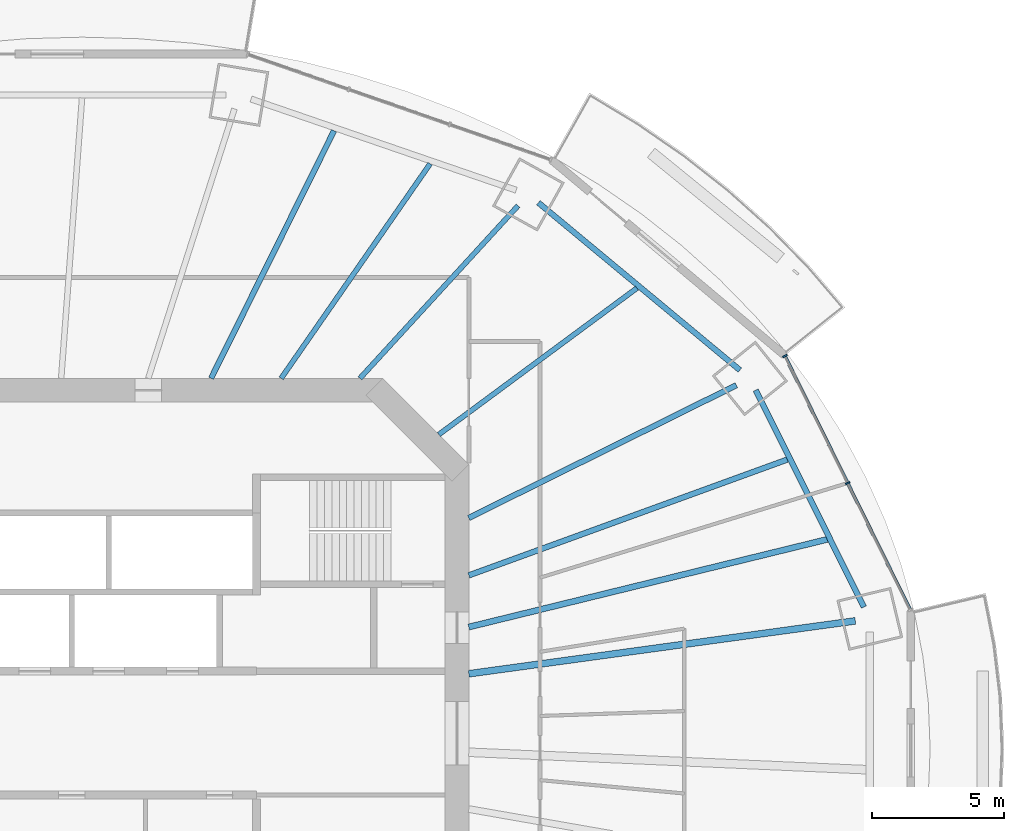
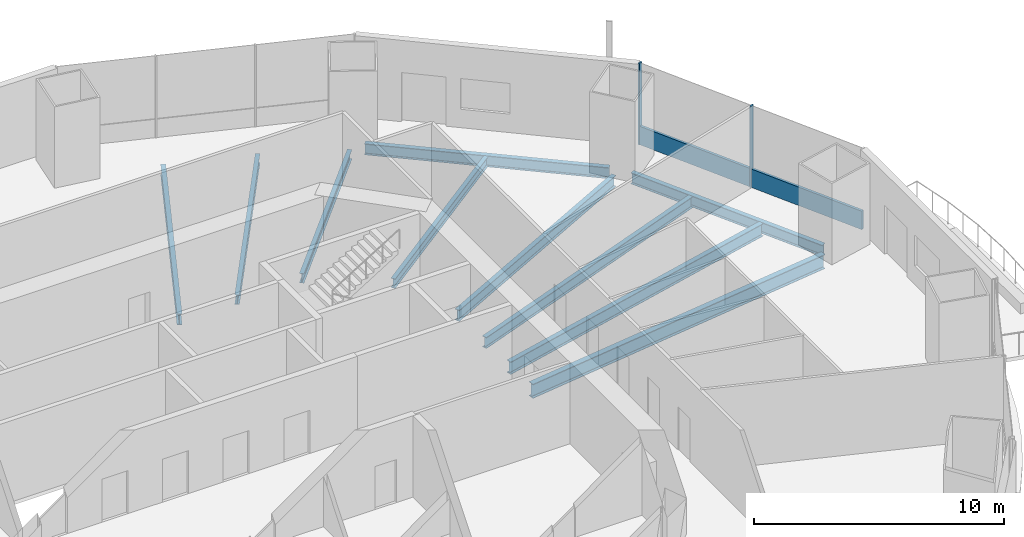
# One storey, part 7 of 20: 10 beams, 3 members, 1 element without a shape of its own.
"""IFC4 building model written with IfcOpenShell, lengths in metres."""

import ifcopenshell
import ifcopenshell.guid

model = None  # the IFC model being written
_history = None  # IfcOwnerHistory: only IFC2X3 demands one
_inside = {}  # id of a spatial element -> (the spatial element, [elements in it])
_under = {}  # id of a project, library or spatial element -> (it, [spatial elements below it])
_declared = {}  # id of a project -> (the project, [libraries it declares])
_typed = {}  # id of a type object -> (the type object, [elements of that type])
_made_of = {}  # id of a material, layer set ... -> (it, [elements and type objects made of it])


def new_model(schema):
    """Start an empty IFC model of exactly this schema.

    Asked for "IFC4X3", IfcOpenShell would pick the latest addendum, in which some entities
    have other attributes; the version numbers below select the first issue.
    IFC2X3 requires an IfcOwnerHistory on every rooted entity: one is made here for all.
    """
    global model, _history
    if schema == "IFC4X3":
        model = ifcopenshell.file(schema_version=(4, 3, 0, 0))
    else:
        model = ifcopenshell.file(schema=schema)
    _inside.clear()
    _under.clear()
    _declared.clear()
    _typed.clear()
    _made_of.clear()
    _history = None
    if model.schema == "IFC2X3":
        org = make("IfcOrganization", Name="unknown")
        user = make(
            "IfcPersonAndOrganization",
            ThePerson=make("IfcPerson", FamilyName="unknown"),
            TheOrganization=org,
        )
        app = make(
            "IfcApplication",
            ApplicationDeveloper=org,
            Version="unknown",
            ApplicationFullName="unknown",
            ApplicationIdentifier="unknown",
        )
        _history = make(
            "IfcOwnerHistory",
            OwningUser=user,
            OwningApplication=app,
            ChangeAction="ADDED",
            CreationDate=0,
        )
    return model


def make(cls, **values):
    """One entity of the class cls with the attributes given. An attribute that is None is left unset."""
    return model.create_entity(
        cls, **{name: value for name, value in values.items() if value is not None}
    )


def rooted(cls, **values):
    """An entity with a GlobalId (a new one), such as an element, a storey or a relation."""
    return make(cls, GlobalId=ifcopenshell.guid.new(), OwnerHistory=_history, **values)


def si_unit(unit_type, name, prefix=None):
    """IfcSIUnit, for example si_unit("LENGTHUNIT", "METRE", prefix="MILLI")."""
    return make("IfcSIUnit", UnitType=unit_type, Prefix=prefix, Name=name)


def assignment(units):
    """IfcUnitAssignment: the units of a project."""
    return None if units is None else make("IfcUnitAssignment", Units=units)


def point(xyz):
    """IfcCartesianPoint."""
    return None if xyz is None else make("IfcCartesianPoint", Coordinates=xyz)


def direction(xyz):
    """IfcDirection."""
    return None if xyz is None else make("IfcDirection", DirectionRatios=xyz)


def frame(location, z_axis=None, x_axis=None):
    """IfcAxis2Placement3D, a coordinate frame: its origin and axes. An axis left out is left unset."""
    return make(
        "IfcAxis2Placement3D",
        Location=point(location),
        Axis=direction(z_axis),
        RefDirection=direction(x_axis),
    )


def frame_2d(location, x_axis=None):
    """IfcAxis2Placement2D, a coordinate frame in the plane: its origin and x axis."""
    return make(
        "IfcAxis2Placement2D", Location=point(location), RefDirection=direction(x_axis)
    )


def origin():
    """The frame at (0, 0, 0) with its axes left unset."""
    return frame((0.0, 0.0, 0.0))


def origin_2d():
    """The frame at (0, 0) in the plane with its x axis left unset."""
    return frame_2d((0.0, 0.0))


def place(relative_to, where):
    """IfcLocalPlacement: puts the frame where relative to a parent placement (None: the world)."""
    return make(
        "IfcLocalPlacement", PlacementRelTo=relative_to, RelativePlacement=where
    )


def context(
    kind, dimensions, precision=None, world=None, true_north=None, identifier=None
):
    """IfcGeometricRepresentationContext, for example the 3D "Model" context."""
    return make(
        "IfcGeometricRepresentationContext",
        ContextIdentifier=identifier,
        ContextType=kind,
        CoordinateSpaceDimension=dimensions,
        Precision=precision,
        WorldCoordinateSystem=world,
        TrueNorth=true_north,
    )


def subcontext(parent, identifier, kind, view, scale=None):
    """IfcGeometricRepresentationSubContext, for example "Body" below "Model"."""
    return make(
        "IfcGeometricRepresentationSubContext",
        ContextIdentifier=identifier,
        ContextType=kind,
        ParentContext=parent,
        TargetScale=scale,
        TargetView=view,
    )


def project(units=None, contexts=None):
    """IfcProject with its units and contexts."""
    return rooted(
        "IfcProject",
        Name="project",
        RepresentationContexts=contexts,
        UnitsInContext=assignment(units),
    )


def spatial(cls, under=None, at=None, **own):
    """A site, building, storey or space (cls), placed at a placement, below another one or the project."""
    s = rooted(cls, ObjectPlacement=at, **own)
    if under is not None:
        _under.setdefault(under.id(), (under, []))[1].append(s)
    return s


def profile(cls, at=None, kind="AREA", **sizes):
    """A parametric profile (cls). Its sizes go by their IFC names, for example OverallWidth=200.0."""
    return make(cls, ProfileType=kind, Position=at, **sizes)


def rectangle(**sizes):
    """IfcRectangleProfileDef."""
    return profile("IfcRectangleProfileDef", **sizes)


def i_section(**sizes):
    """IfcIShapeProfileDef."""
    return profile("IfcIShapeProfileDef", **sizes)


def extrude(swept, where, along, depth):
    """IfcExtrudedAreaSolid: the profile swept, set in the frame where, extruded along a direction by depth."""
    return make(
        "IfcExtrudedAreaSolid",
        SweptArea=swept,
        Position=where,
        ExtrudedDirection=direction(along),
        Depth=depth,
    )


def shape(context_of_items, identifier, shape_type, items):
    """IfcShapeRepresentation: the items that make up one representation, for example the "Body"."""
    return make(
        "IfcShapeRepresentation",
        ContextOfItems=context_of_items,
        RepresentationIdentifier=identifier,
        RepresentationType=shape_type,
        Items=items,
    )


def material(Name=None, Category=None):
    """IfcMaterial."""
    return make("IfcMaterial", Name=Name, Category=Category)


def material_profile(
    of_material, cross_section, Name=None, Category=None, Priority=None
):
    """IfcMaterialProfile: a cross section and its material."""
    return make(
        "IfcMaterialProfile",
        Name=Name,
        Material=of_material,
        Profile=cross_section,
        Priority=Priority,
        Category=Category,
    )


def profile_set(profiles, Name=None, composite=None):
    """IfcMaterialProfileSet."""
    return make(
        "IfcMaterialProfileSet",
        Name=Name,
        MaterialProfiles=profiles,
        CompositeProfile=composite,
    )


def made_of(thing, what):
    """Note that an element or type object is made of a material, layer set ...; save() writes the relation."""
    if what is not None:
        _made_of.setdefault(what.id(), (what, []))[1].append(thing)
    return thing


def type_object(cls, material=None, **own):
    """A type object (cls), such as IfcWallType, which elements share."""
    return made_of(rooted(cls, **own), material)


def element(
    cls,
    number,
    at=None,
    inside=None,
    cuts=None,
    type_object=None,
    material=None,
    context=None,
    identifier="Body",
    shape_type=None,
    held_by="IfcProductDefinitionShape",
    body=None,
    shapes=None,
    **own,
):
    """One element of the class cls, such as IfcWall. Its Tag is "e" and its number.

    at: its placement. inside: the storey or other place that contains it. cuts: it is an
    opening in that element (IfcRelVoidsElement). A single representation is given by context,
    identifier, shape_type and body (its items); several are given by shapes. held_by: the class
    of the entity that holds the representations. save() writes the other relations.
    """
    e = rooted(cls, Tag="e%d" % number, ObjectPlacement=at, **own)
    if body is not None:
        shapes = [shape(context, identifier, shape_type, body)]
    if shapes is not None:
        e.Representation = make(held_by, Representations=shapes)
    if inside is not None:
        _inside.setdefault(inside.id(), (inside, []))[1].append(e)
    if cuts is not None:
        rooted(
            "IfcRelVoidsElement", RelatingBuildingElement=cuts, RelatedOpeningElement=e
        )
    if type_object is not None:
        _typed.setdefault(type_object.id(), (type_object, []))[1].append(e)
    return made_of(e, material)


def aggregate(whole, parts):
    """IfcRelAggregates: a whole, such as a stair, and the parts it consists of."""
    return rooted("IfcRelAggregates", RelatingObject=whole, RelatedObjects=parts)


def save(model, path):
    """Write the relations noted so far, then the file.

    IfcRelAggregates (storeys below a building ...), IfcRelContainedInSpatialStructure (elements
    in a storey), IfcRelDefinesByType, IfcRelAssociatesMaterial and IfcRelDeclares: one each for
    every whole, place, type object, material and project.
    """
    for whole, parts in _under.values():
        aggregate(whole, parts)
    for where, things in _inside.values():
        rooted(
            "IfcRelContainedInSpatialStructure",
            RelatedElements=things,
            RelatingStructure=where,
        )
    for kind, things in _typed.values():
        rooted("IfcRelDefinesByType", RelatedObjects=things, RelatingType=kind)
    for what, things in _made_of.values():
        rooted("IfcRelAssociatesMaterial", RelatedObjects=things, RelatingMaterial=what)
    for by, libraries in _declared.values():
        rooted("IfcRelDeclares", RelatingContext=by, RelatedDefinitions=libraries)
    model.write(path)


model = new_model("IFC4")

# Units and contexts
model_context = context("Model", 3, precision=1e-05, world=origin(), true_north=direction((0.0, 1.0)))
body_context = subcontext(model_context, "Body", "Model", "MODEL_VIEW")
ifc_project = project(units=[si_unit("LENGTHUNIT", "METRE"), si_unit("AREAUNIT", "SQUARE_METRE"), si_unit("VOLUMEUNIT", "CUBIC_METRE"), si_unit("PLANEANGLEUNIT", "RADIAN"), si_unit("MASSUNIT", "GRAM", prefix="KILO")], contexts=[model_context])

# Site, building, storey
site_placement = place(None, origin())
site = spatial("IfcSite", under=ifc_project, at=site_placement, CompositionType="ELEMENT")
building_placement = place(site_placement, origin())
building = spatial("IfcBuilding", under=site, at=building_placement, Name="Marenthal Gate Tower", CompositionType="ELEMENT")
storey_placement = place(building_placement, frame((0.0, 0.0, 190.10009765625)))
storey = spatial("IfcBuildingStorey", under=building, at=storey_placement, Name="L41", CompositionType="ELEMENT", Elevation=190.10009765625)

# Curtain wall, members
ifc_material_1 = material(Name="Aluminium and glass", Category="aluminium")
curtain_wall_type = type_object("IfcCurtainWallType", Name="Curtain wall typical mid", PredefinedType="NOTDEFINED", material=ifc_material_1)
curtain_wall_placement = place(storey_placement, origin())
curtain_wall = element("IfcCurtainWall", 1, at=curtain_wall_placement, inside=storey, type_object=curtain_wall_type, Name="Curtain wall L41 bay 1", PredefinedType="NOTDEFINED")
ifc_material_2 = material(Name="Aluminium", Category="aluminium")
ifc_material_profile_1 = material_profile(ifc_material_2, rectangle(XDim=0.179931640625, YDim=0.06005859375, at=origin_2d()), Name="60x180 aluminium mullion")
ifc_profile_set_1 = profile_set([ifc_material_profile_1], Name="Aluminium")
member_type_1 = type_object("IfcMemberType", Name="Mullion 60x180 typical mid", PredefinedType="MULLION", material=ifc_profile_set_1)
member_1_placement = place(storey_placement, frame((30.8095703125, 9.481689453125, 0.0), z_axis=(0.0, 0.0, 1.0), x_axis=(-0.896680826174, -0.442677643406, 0.0)))
member_1 = element("IfcMember", 2, at=member_1_placement, type_object=member_type_1, Name="Mullion L41 bay 1.2", PredefinedType="MULLION", context=body_context, shape_type="SweptSolid", body=[
    extrude(rectangle(XDim=0.179931640625, YDim=0.06005859375, at=origin_2d()), origin(), (0.0, 0.0, 1.0), 3.969970703125),
])
member_2_placement = place(storey_placement, frame((28.432861328125, 14.29638671875, 0.0), z_axis=(0.0, 0.0, 1.0), x_axis=(-0.896680826174, -0.442677643406, 0.0)))
member_2 = element("IfcMember", 3, at=member_2_placement, type_object=member_type_1, Name="Mullion L41 bay 1.3", PredefinedType="MULLION", context=body_context, shape_type="SweptSolid", body=[
    extrude(rectangle(XDim=0.179931640625, YDim=0.06005859375, at=origin_2d()), origin(), (0.0, 0.0, 1.0), 3.969970703125),
])
ifc_material_3 = material(Name="Aluminium", Category="aluminium")
ifc_material_profile_2 = material_profile(ifc_material_3, rectangle(XDim=0.1201171875, YDim=0.89990234375, at=origin_2d()), Name="120x900 aluminium transom")
ifc_profile_set_2 = profile_set([ifc_material_profile_2], Name="Aluminium")
member_type_2 = type_object("IfcMemberType", Name="Transom 120x900 typical mid", PredefinedType="USERDEFINED", material=ifc_profile_set_2)
member_3_placement = place(storey_placement, frame((33.17333984375, 4.694091796875, 0.449951171875), z_axis=(-0.442690223778, 0.896674615327, 0.0), x_axis=(-0.896674615327, -0.442690223778, 0.0)))
member_3 = element("IfcMember", 4, at=member_3_placement, type_object=member_type_2, Name="Transom L41 bay 1", ObjectType="TRANSOM", PredefinedType="USERDEFINED", context=body_context, shape_type="SweptSolid", body=[
    extrude(rectangle(XDim=0.1201171875, YDim=0.89990234375, at=origin_2d()), origin(), (0.0, 0.0, 1.0), 10.678466796875),
])
aggregate(curtain_wall, [member_1, member_2, member_3])

# Beams
ifc_material_4 = material(Name="Steel S355", Category="steel")
ifc_material_profile_3 = material_profile(ifc_material_4, i_section(OverallWidth=0.193115234375, OverallDepth=0.467041015625, WebThickness=0.011474609375, FlangeThickness=0.01904296875, FilletRadius=0.010009765625, at=origin_2d()), Name="W460X97")
ifc_profile_set_3 = profile_set([ifc_material_profile_3], Name="Steel S355")
beam_type_1 = type_object("IfcBeamType", Name="W460X97 beam", PredefinedType="BEAM", material=ifc_profile_set_3)
beam_1_placement = place(storey_placement, frame((18.317138671875, 19.992919921875, -0.41357421875), z_axis=(-0.675535239039, -0.737327702461, 0.0), x_axis=(0.737327702461, -0.675535239039, 0.0)))
element("IfcBeam", 5, at=beam_1_placement, inside=storey, type_object=beam_type_1, Name="BM-L41-03", PredefinedType="BEAM", context=body_context, shape_type="SweptSolid", body=[
    extrude(i_section(OverallWidth=0.193115234375, OverallDepth=0.467041015625, WebThickness=0.011474609375, FlangeThickness=0.01904296875, FilletRadius=0.010009765625, at=origin_2d()), origin(), (0.0, 0.0, 1.0), 8.873779296875),
])
beam_2_placement = place(storey_placement, frame((22.819580078125, 16.867919921875, -0.41357421875), z_axis=(-0.804159285788, -0.594413865149, 0.0), x_axis=(0.594413865149, -0.804159285788, 0.0)))
element("IfcBeam", 6, at=beam_2_placement, inside=storey, type_object=beam_type_1, Name="BM-L41-19", PredefinedType="BEAM", context=body_context, shape_type="SweptSolid", body=[
    extrude(i_section(OverallWidth=0.193115234375, OverallDepth=0.467041015625, WebThickness=0.011474609375, FlangeThickness=0.01904296875, FilletRadius=0.010009765625, at=origin_2d()), origin(), (0.0, 0.0, 1.0), 9.331787109375),
])
beam_3_placement = place(storey_placement, frame((14.98388671875, 21.5810546875, -0.41357421875), z_axis=(-0.57032139263, -0.821421639056, 0.0), x_axis=(0.821421639056, -0.57032139263, 0.0)))
element("IfcBeam", 7, at=beam_3_placement, inside=storey, type_object=beam_type_1, Name="BM-L41-20", PredefinedType="BEAM", context=body_context, shape_type="SweptSolid", body=[
    extrude(i_section(OverallWidth=0.193115234375, OverallDepth=0.467041015625, WebThickness=0.011474609375, FlangeThickness=0.01904296875, FilletRadius=0.010009765625, at=origin_2d()), origin(), (0.0, 0.0, 1.0), 9.89892578125),
])
ifc_material_5 = material(Name="Steel S355", Category="steel")
ifc_material_profile_4 = material_profile(ifc_material_5, i_section(OverallWidth=0.2099609375, OverallDepth=0.535888671875, WebThickness=0.010986328125, FlangeThickness=0.017333984375, FilletRadius=0.0126953125, at=origin_2d()), Name="W530X101")
ifc_profile_set_4 = profile_set([ifc_material_profile_4], Name="Steel S355")
beam_type_2 = type_object("IfcBeamType", Name="W530X101 beam", PredefinedType="BEAM", material=ifc_profile_set_4)
beam_4_placement = place(storey_placement, frame((11.34326171875, 22.83349609375, -0.447998046875), z_axis=(-0.444909971834, -0.895575299437, 0.0), x_axis=(0.895575299437, -0.444909971834, 0.0)))
element("IfcBeam", 8, at=beam_4_placement, inside=storey, type_object=beam_type_2, Name="BM-L41-21", PredefinedType="BEAM", context=body_context, shape_type="SweptSolid", body=[
    extrude(i_section(OverallWidth=0.2099609375, OverallDepth=0.535888671875, WebThickness=0.010986328125, FlangeThickness=0.017333984375, FilletRadius=0.0126953125, at=origin_2d()), origin(), (0.0, 0.0, 1.0), 10.477783203125),
])
ifc_material_6 = material(Name="Steel S355", Category="steel")
ifc_material_profile_5 = material_profile(ifc_material_6, i_section(OverallWidth=0.2119140625, OverallDepth=0.5439453125, WebThickness=0.01318359375, FlangeThickness=0.021240234375, FilletRadius=0.0126953125, at=origin_2d()), Name="W530X123")
ifc_profile_set_5 = profile_set([ifc_material_profile_5], Name="Steel S355")
beam_type_3 = type_object("IfcBeamType", Name="W530X123 beam", PredefinedType="BEAM", material=ifc_profile_set_5)
beam_5_placement = place(storey_placement, frame((26.590576171875, 13.189697265625, -0.4521484375), z_axis=(-0.895854730094, -0.44434705194, 0.0), x_axis=(0.44434705194, -0.895854730094, 0.0)))
element("IfcBeam", 9, at=beam_5_placement, inside=storey, type_object=beam_type_3, Name="BM-L41-02", PredefinedType="BEAM", context=body_context, shape_type="SweptSolid", body=[
    extrude(i_section(OverallWidth=0.2119140625, OverallDepth=0.5439453125, WebThickness=0.01318359375, FlangeThickness=0.021240234375, FilletRadius=0.0126953125, at=origin_2d()), origin(), (0.0, 0.0, 1.0), 11.319580078125),
])
beam_6_placement = place(storey_placement, frame((28.520263671875, 10.37109375, -0.4521484375), z_axis=(-0.939794533486, -0.341740010579, 0.0), x_axis=(0.341740010579, -0.939794533486, 0.0)))
element("IfcBeam", 10, at=beam_6_placement, inside=storey, type_object=beam_type_3, Name="BM-L41-18", PredefinedType="BEAM", context=body_context, shape_type="SweptSolid", body=[
    extrude(i_section(OverallWidth=0.2119140625, OverallDepth=0.5439453125, WebThickness=0.01318359375, FlangeThickness=0.021240234375, FilletRadius=0.0126953125, at=origin_2d()), origin(), (0.0, 0.0, 1.0), 12.843505859375),
])
beam_7_placement = place(storey_placement, frame((31.4267578125, 4.7802734375, -0.4521484375), z_axis=(-0.446267064466, 0.894899830804, 0.0), x_axis=(-0.894899830804, -0.446267064466, 0.0)))
element("IfcBeam", 11, at=beam_7_placement, inside=storey, type_object=beam_type_3, Name="BM-L41-41", PredefinedType="BEAM", context=body_context, shape_type="SweptSolid", body=[
    extrude(i_section(OverallWidth=0.2119140625, OverallDepth=0.5439453125, WebThickness=0.01318359375, FlangeThickness=0.021240234375, FilletRadius=0.0126953125, at=origin_2d()), origin(), (0.0, 0.0, 1.0), 9.184814453125),
])
beam_8_placement = place(storey_placement, frame((26.72509765625, 13.76171875, -0.4521484375), z_axis=(-0.769236112246, 0.638964634089, 0.0), x_axis=(-0.638964634089, -0.769236112246, 0.0)))
element("IfcBeam", 12, at=beam_8_placement, inside=storey, type_object=beam_type_3, Name="BM-L41-42", PredefinedType="BEAM", context=body_context, shape_type="SweptSolid", body=[
    extrude(i_section(OverallWidth=0.2119140625, OverallDepth=0.5439453125, WebThickness=0.01318359375, FlangeThickness=0.021240234375, FilletRadius=0.0126953125, at=origin_2d()), origin(), (0.0, 0.0, 1.0), 9.928955078125),
])
ifc_material_7 = material(Name="Steel S355", Category="steel")
ifc_material_profile_6 = material_profile(ifc_material_7, i_section(OverallWidth=0.22900390625, OverallDepth=0.612060546875, WebThickness=0.011962890625, FlangeThickness=0.01953125, FilletRadius=0.0126953125, at=origin_2d()), Name="W610X125")
ifc_profile_set_6 = profile_set([ifc_material_profile_6], Name="Steel S355")
beam_type_4 = type_object("IfcBeamType", Name="W610X125 beam", PredefinedType="BEAM", material=ifc_profile_set_6)
beam_9_placement = place(storey_placement, frame((30.02978515625, 7.343994140625, -0.486083984375), z_axis=(-0.971373757829, -0.237556356683, 0.0), x_axis=(0.237556356683, -0.971373757829, 0.0)))
element("IfcBeam", 13, at=beam_9_placement, inside=storey, type_object=beam_type_4, Name="BM-L41-17", PredefinedType="BEAM", context=body_context, shape_type="SweptSolid", body=[
    extrude(i_section(OverallWidth=0.22900390625, OverallDepth=0.612060546875, WebThickness=0.011962890625, FlangeThickness=0.01953125, FilletRadius=0.0126953125, at=origin_2d()), origin(), (0.0, 0.0, 1.0), 13.97998046875),
])
ifc_material_8 = material(Name="Steel S355", Category="steel")
ifc_material_profile_7 = material_profile(ifc_material_8, i_section(OverallWidth=0.257080078125, OverallDepth=0.693115234375, WebThickness=0.014404296875, FlangeThickness=0.023681640625, FilletRadius=0.015380859375, at=origin_2d()), Name="W690X170")
ifc_profile_set_7 = profile_set([ifc_material_profile_7], Name="Steel S355")
beam_type_5 = type_object("IfcBeamType", Name="W690X170 beam", PredefinedType="BEAM", material=ifc_profile_set_7)
beam_10_placement = place(storey_placement, frame((31.10009765625, 4.2568359375, -0.526611328125), z_axis=(-0.990763233443, -0.13560315357, 0.0), x_axis=(0.13560315357, -0.990763233443, 0.0)))
element("IfcBeam", 14, at=beam_10_placement, inside=storey, type_object=beam_type_5, Name="BM-L41-01", PredefinedType="BEAM", context=body_context, shape_type="SweptSolid", body=[
    extrude(i_section(OverallWidth=0.257080078125, OverallDepth=0.693115234375, WebThickness=0.014404296875, FlangeThickness=0.023681640625, FilletRadius=0.015380859375, at=origin_2d()), origin(), (0.0, 0.0, 1.0), 14.78662109375),
])

save(model, "model.ifc")
